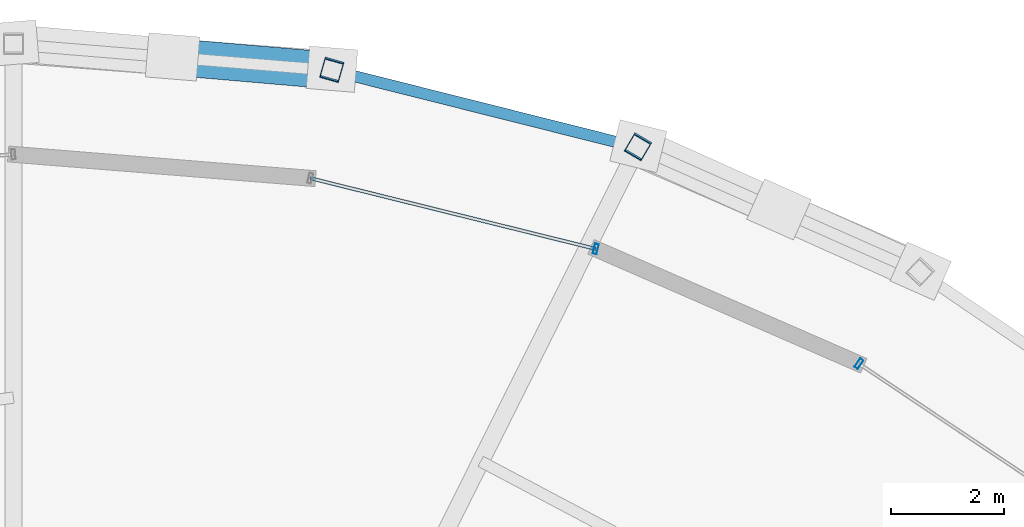
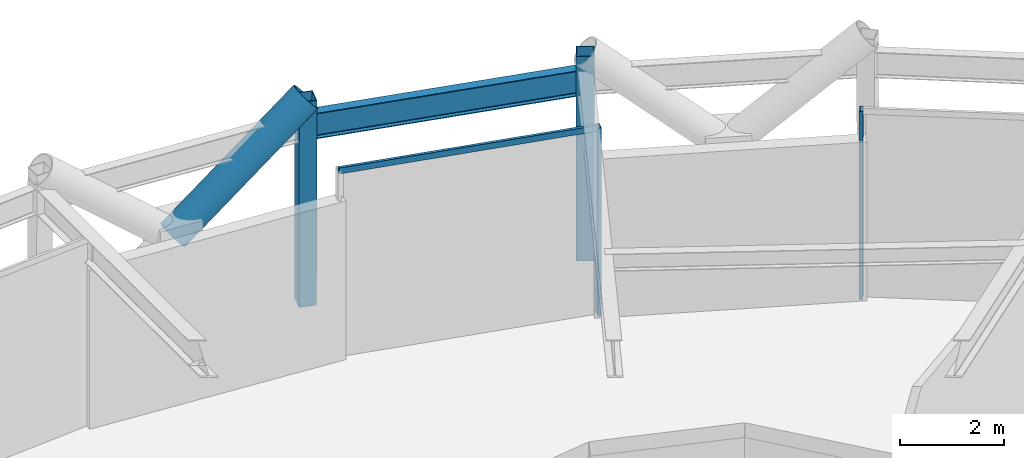
# One storey, part 28 of 39: 6 members, 1 beam, 2 elements without a shape of their own.
"""IFC4 building model written with IfcOpenShell, lengths in metres."""

import ifcopenshell
import ifcopenshell.guid

model = None  # the IFC model being written
_history = None  # IfcOwnerHistory: only IFC2X3 demands one
_inside = {}  # id of a spatial element -> (the spatial element, [elements in it])
_under = {}  # id of a project, library or spatial element -> (it, [spatial elements below it])
_declared = {}  # id of a project -> (the project, [libraries it declares])
_typed = {}  # id of a type object -> (the type object, [elements of that type])
_made_of = {}  # id of a material, layer set ... -> (it, [elements and type objects made of it])


def new_model(schema):
    """Start an empty IFC model of exactly this schema.

    Asked for "IFC4X3", IfcOpenShell would pick the latest addendum, in which some entities
    have other attributes; the version numbers below select the first issue.
    IFC2X3 requires an IfcOwnerHistory on every rooted entity: one is made here for all.
    """
    global model, _history
    if schema == "IFC4X3":
        model = ifcopenshell.file(schema_version=(4, 3, 0, 0))
    else:
        model = ifcopenshell.file(schema=schema)
    _inside.clear()
    _under.clear()
    _declared.clear()
    _typed.clear()
    _made_of.clear()
    _history = None
    if model.schema == "IFC2X3":
        org = make("IfcOrganization", Name="unknown")
        user = make(
            "IfcPersonAndOrganization",
            ThePerson=make("IfcPerson", FamilyName="unknown"),
            TheOrganization=org,
        )
        app = make(
            "IfcApplication",
            ApplicationDeveloper=org,
            Version="unknown",
            ApplicationFullName="unknown",
            ApplicationIdentifier="unknown",
        )
        _history = make(
            "IfcOwnerHistory",
            OwningUser=user,
            OwningApplication=app,
            ChangeAction="ADDED",
            CreationDate=0,
        )
    return model


def make(cls, **values):
    """One entity of the class cls with the attributes given. An attribute that is None is left unset."""
    return model.create_entity(
        cls, **{name: value for name, value in values.items() if value is not None}
    )


def rooted(cls, **values):
    """An entity with a GlobalId (a new one), such as an element, a storey or a relation."""
    return make(cls, GlobalId=ifcopenshell.guid.new(), OwnerHistory=_history, **values)


def si_unit(unit_type, name, prefix=None):
    """IfcSIUnit, for example si_unit("LENGTHUNIT", "METRE", prefix="MILLI")."""
    return make("IfcSIUnit", UnitType=unit_type, Prefix=prefix, Name=name)


def assignment(units):
    """IfcUnitAssignment: the units of a project."""
    return None if units is None else make("IfcUnitAssignment", Units=units)


def point(xyz):
    """IfcCartesianPoint."""
    return None if xyz is None else make("IfcCartesianPoint", Coordinates=xyz)


def direction(xyz):
    """IfcDirection."""
    return None if xyz is None else make("IfcDirection", DirectionRatios=xyz)


def frame(location, z_axis=None, x_axis=None):
    """IfcAxis2Placement3D, a coordinate frame: its origin and axes. An axis left out is left unset."""
    return make(
        "IfcAxis2Placement3D",
        Location=point(location),
        Axis=direction(z_axis),
        RefDirection=direction(x_axis),
    )


def frame_2d(location, x_axis=None):
    """IfcAxis2Placement2D, a coordinate frame in the plane: its origin and x axis."""
    return make(
        "IfcAxis2Placement2D", Location=point(location), RefDirection=direction(x_axis)
    )


def origin():
    """The frame at (0, 0, 0) with its axes left unset."""
    return frame((0.0, 0.0, 0.0))


def origin_2d():
    """The frame at (0, 0) in the plane with its x axis left unset."""
    return frame_2d((0.0, 0.0))


def place(relative_to, where):
    """IfcLocalPlacement: puts the frame where relative to a parent placement (None: the world)."""
    return make(
        "IfcLocalPlacement", PlacementRelTo=relative_to, RelativePlacement=where
    )


def context(
    kind, dimensions, precision=None, world=None, true_north=None, identifier=None
):
    """IfcGeometricRepresentationContext, for example the 3D "Model" context."""
    return make(
        "IfcGeometricRepresentationContext",
        ContextIdentifier=identifier,
        ContextType=kind,
        CoordinateSpaceDimension=dimensions,
        Precision=precision,
        WorldCoordinateSystem=world,
        TrueNorth=true_north,
    )


def subcontext(parent, identifier, kind, view, scale=None):
    """IfcGeometricRepresentationSubContext, for example "Body" below "Model"."""
    return make(
        "IfcGeometricRepresentationSubContext",
        ContextIdentifier=identifier,
        ContextType=kind,
        ParentContext=parent,
        TargetScale=scale,
        TargetView=view,
    )


def project(units=None, contexts=None):
    """IfcProject with its units and contexts."""
    return rooted(
        "IfcProject",
        Name="project",
        RepresentationContexts=contexts,
        UnitsInContext=assignment(units),
    )


def spatial(cls, under=None, at=None, **own):
    """A site, building, storey or space (cls), placed at a placement, below another one or the project."""
    s = rooted(cls, ObjectPlacement=at, **own)
    if under is not None:
        _under.setdefault(under.id(), (under, []))[1].append(s)
    return s


def profile(cls, at=None, kind="AREA", **sizes):
    """A parametric profile (cls). Its sizes go by their IFC names, for example OverallWidth=200.0."""
    return make(cls, ProfileType=kind, Position=at, **sizes)


def hollow_rectangle(**sizes):
    """IfcRectangleHollowProfileDef."""
    return profile("IfcRectangleHollowProfileDef", **sizes)


def hollow_circle(**sizes):
    """IfcCircleHollowProfileDef."""
    return profile("IfcCircleHollowProfileDef", **sizes)


def i_section(**sizes):
    """IfcIShapeProfileDef."""
    return profile("IfcIShapeProfileDef", **sizes)


def extrude(swept, where, along, depth):
    """IfcExtrudedAreaSolid: the profile swept, set in the frame where, extruded along a direction by depth."""
    return make(
        "IfcExtrudedAreaSolid",
        SweptArea=swept,
        Position=where,
        ExtrudedDirection=direction(along),
        Depth=depth,
    )


def shape(context_of_items, identifier, shape_type, items):
    """IfcShapeRepresentation: the items that make up one representation, for example the "Body"."""
    return make(
        "IfcShapeRepresentation",
        ContextOfItems=context_of_items,
        RepresentationIdentifier=identifier,
        RepresentationType=shape_type,
        Items=items,
    )


def material(Name=None, Category=None):
    """IfcMaterial."""
    return make("IfcMaterial", Name=Name, Category=Category)


def layer(
    of_material, thickness, ventilated=None, Name=None, Category=None, Priority=None
):
    """IfcMaterialLayer: one layer of a wall or slab, of a material (None: an air gap)."""
    return make(
        "IfcMaterialLayer",
        Material=of_material,
        LayerThickness=thickness,
        IsVentilated=ventilated,
        Name=Name,
        Category=Category,
        Priority=Priority,
    )


def layer_set(layers, Name=None):
    """IfcMaterialLayerSet."""
    return make("IfcMaterialLayerSet", MaterialLayers=layers, LayerSetName=Name)


def material_profile(
    of_material, cross_section, Name=None, Category=None, Priority=None
):
    """IfcMaterialProfile: a cross section and its material."""
    return make(
        "IfcMaterialProfile",
        Name=Name,
        Material=of_material,
        Profile=cross_section,
        Priority=Priority,
        Category=Category,
    )


def profile_set(profiles, Name=None, composite=None):
    """IfcMaterialProfileSet."""
    return make(
        "IfcMaterialProfileSet",
        Name=Name,
        MaterialProfiles=profiles,
        CompositeProfile=composite,
    )


def made_of(thing, what):
    """Note that an element or type object is made of a material, layer set ...; save() writes the relation."""
    if what is not None:
        _made_of.setdefault(what.id(), (what, []))[1].append(thing)
    return thing


def type_object(cls, material=None, **own):
    """A type object (cls), such as IfcWallType, which elements share."""
    return made_of(rooted(cls, **own), material)


def element(
    cls,
    number,
    at=None,
    inside=None,
    cuts=None,
    type_object=None,
    material=None,
    context=None,
    identifier="Body",
    shape_type=None,
    held_by="IfcProductDefinitionShape",
    body=None,
    shapes=None,
    **own,
):
    """One element of the class cls, such as IfcWall. Its Tag is "e" and its number.

    at: its placement. inside: the storey or other place that contains it. cuts: it is an
    opening in that element (IfcRelVoidsElement). A single representation is given by context,
    identifier, shape_type and body (its items); several are given by shapes. held_by: the class
    of the entity that holds the representations. save() writes the other relations.
    """
    e = rooted(cls, Tag="e%d" % number, ObjectPlacement=at, **own)
    if body is not None:
        shapes = [shape(context, identifier, shape_type, body)]
    if shapes is not None:
        e.Representation = make(held_by, Representations=shapes)
    if inside is not None:
        _inside.setdefault(inside.id(), (inside, []))[1].append(e)
    if cuts is not None:
        rooted(
            "IfcRelVoidsElement", RelatingBuildingElement=cuts, RelatedOpeningElement=e
        )
    if type_object is not None:
        _typed.setdefault(type_object.id(), (type_object, []))[1].append(e)
    return made_of(e, material)


def aggregate(whole, parts):
    """IfcRelAggregates: a whole, such as a stair, and the parts it consists of."""
    return rooted("IfcRelAggregates", RelatingObject=whole, RelatedObjects=parts)


def save(model, path):
    """Write the relations noted so far, then the file.

    IfcRelAggregates (storeys below a building ...), IfcRelContainedInSpatialStructure (elements
    in a storey), IfcRelDefinesByType, IfcRelAssociatesMaterial and IfcRelDeclares: one each for
    every whole, place, type object, material and project.
    """
    for whole, parts in _under.values():
        aggregate(whole, parts)
    for where, things in _inside.values():
        rooted(
            "IfcRelContainedInSpatialStructure",
            RelatedElements=things,
            RelatingStructure=where,
        )
    for kind, things in _typed.values():
        rooted("IfcRelDefinesByType", RelatedObjects=things, RelatingType=kind)
    for what, things in _made_of.values():
        rooted("IfcRelAssociatesMaterial", RelatedObjects=things, RelatingMaterial=what)
    for by, libraries in _declared.values():
        rooted("IfcRelDeclares", RelatingContext=by, RelatedDefinitions=libraries)
    model.write(path)


model = new_model("IFC4")

# Units and contexts
model_context = context("Model", 3, precision=1e-05, world=origin(), true_north=direction((0.0, 1.0)))
body_context = subcontext(model_context, "Body", "Model", "MODEL_VIEW")
ifc_project = project(units=[si_unit("LENGTHUNIT", "METRE"), si_unit("AREAUNIT", "SQUARE_METRE"), si_unit("VOLUMEUNIT", "CUBIC_METRE"), si_unit("PLANEANGLEUNIT", "RADIAN"), si_unit("MASSUNIT", "GRAM", prefix="KILO")], contexts=[model_context])

# Site, building, storey
site_placement = place(None, origin())
site = spatial("IfcSite", under=ifc_project, at=site_placement, CompositionType="ELEMENT")
building_placement = place(site_placement, origin())
building = spatial("IfcBuilding", under=site, at=building_placement, Name="Veldorina Hangang Commons", CompositionType="ELEMENT")
storey_placement = place(building_placement, frame((0.0, 0.0, 106.0)))
storey = spatial("IfcBuildingStorey", under=building, at=storey_placement, Name="L27", CompositionType="ELEMENT", Elevation=106.0)

# Beam
ifc_material_1 = material(Name="Steel SM420-TMC", Category="steel")
ifc_material_profile_1 = material_profile(ifc_material_1, i_section(OverallWidth=0.199951171875, OverallDepth=0.60009765625, WebThickness=0.010986328125, FlangeThickness=0.01708984375, FilletRadius=0.01806640625, at=origin_2d()), Name="H-600x200x11x17")
ifc_profile_set_1 = profile_set([ifc_material_profile_1], Name="Steel SM420-TMC")
beam_type = type_object("IfcBeamType", Name="BM-RB600", PredefinedType="BEAM", material=ifc_profile_set_1)
beam_placement = place(storey_placement, frame((43.002197265625, 46.01171875, 4.139892578125), z_axis=(-0.969829219212, 0.243785326798, 0.0), x_axis=(-0.243785326798, -0.969829219212, 0.0)))
element("IfcBeam", 1, at=beam_placement, inside=storey, type_object=beam_type, Name="L27 perimeter hoop ring beam 06", PredefinedType="BEAM", context=body_context, shape_type="SweptSolid", body=[
    extrude(i_section(OverallWidth=0.199951171875, OverallDepth=0.60009765625, WebThickness=0.010986328125, FlangeThickness=0.01708984375, FilletRadius=0.01806640625, at=origin_2d()), origin(), (0.0, 0.0, 1.0), 5.56103515625),
])

# Curtain wall, member
ifc_material_2 = material(Name="Glass Acoustic Laminated", Category="glass")
ifc_layer = layer(ifc_material_2, 0.179931640625)
ifc_layer_set = layer_set([ifc_layer], Name="Glass Acoustic Laminated")
curtain_wall_type = type_object("IfcCurtainWallType", Name="CW-SYS-SKY", PredefinedType="NOTDEFINED", material=ifc_layer_set)
curtain_wall_1_placement = place(storey_placement, origin())
curtain_wall_1 = element("IfcCurtainWall", 2, at=curtain_wall_1_placement, inside=storey, type_object=curtain_wall_type, Name="L27 unitised curtain wall CW-L27-R3", PredefinedType="NOTDEFINED")
ifc_material_3 = material(Name="Aluminium Anodized AA6063-T6", Category="aluminium")
ifc_material_profile_2 = material_profile(ifc_material_3, hollow_rectangle(XDim=0.070068359375, YDim=0.179931640625, WallThickness=0.00390625, at=origin_2d()), Name="ALU-RHS-180x70x4")
ifc_profile_set_2 = profile_set([ifc_material_profile_2], Name="Aluminium Anodized AA6063-T6")
member_type_1 = type_object("IfcMemberType", Name="CW-MUL-180", PredefinedType="MULLION", material=ifc_profile_set_2)
member_1_placement = place(storey_placement, frame((46.902099609375, 42.19921875, 0.0), z_axis=(0.0, 0.0, 1.0), x_axis=(0.830887364717, -0.556440641177, 0.0)))
member_1 = element("IfcMember", 3, at=member_1_placement, type_object=member_type_1, Name="CW-L27-R3 vertical mullion 2", PredefinedType="MULLION", context=body_context, shape_type="SweptSolid", body=[
    extrude(hollow_rectangle(XDim=0.070068359375, YDim=0.179931640625, WallThickness=0.00390625, at=origin_2d()), origin(), (0.0, 0.0, 1.0), 4.39990234375),
])
aggregate(curtain_wall_1, [member_1])

# Curtain wall, members
curtain_wall_2_placement = place(storey_placement, origin())
curtain_wall_2 = element("IfcCurtainWall", 4, at=curtain_wall_2_placement, inside=storey, type_object=curtain_wall_type, Name="L27 unitised curtain wall CW-L27-R4", PredefinedType="NOTDEFINED")
member_2_placement = place(storey_placement, frame((42.2646484375, 44.221923828125, 0.0), z_axis=(0.0, 0.0, 1.0), x_axis=(-0.970703901937, 0.240278868744, 0.0)))
member_2 = element("IfcMember", 5, at=member_2_placement, type_object=member_type_1, Name="CW-L27-R4 vertical mullion 1", PredefinedType="MULLION", context=body_context, shape_type="SweptSolid", body=[
    extrude(hollow_rectangle(XDim=0.070068359375, YDim=0.179931640625, WallThickness=0.00390625, at=origin_2d()), origin(), (0.0, 0.0, 1.0), 4.39990234375),
])
ifc_material_profile_3 = material_profile(ifc_material_3, hollow_rectangle(XDim=0.06005859375, YDim=0.139892578125, WallThickness=0.00341796875, at=origin_2d()), Name="ALU-RHS-140x60x3.5")
ifc_profile_set_3 = profile_set([ifc_material_profile_3], Name="Aluminium Anodized AA6063-T6")
member_type_2 = type_object("IfcMemberType", Name="CW-TRN-140", PredefinedType="USERDEFINED", material=ifc_profile_set_3)
member_3_placement = place(storey_placement, frame((42.2646484375, 44.221923828125, 4.360107421875), z_axis=(-0.970699558144, 0.240296416577, 0.0), x_axis=(-0.240296416577, -0.970699558144, 0.0)))
member_3 = element("IfcMember", 6, at=member_3_placement, type_object=member_type_2, Name="CW-L27-R4 facet 1 transom 1", ObjectType="TRANSOM", PredefinedType="USERDEFINED", context=body_context, shape_type="SweptSolid", body=[
    extrude(hollow_rectangle(XDim=0.06005859375, YDim=0.139892578125, WallThickness=0.00341796875, at=origin_2d()), origin(), (0.0, 0.0, 1.0), 5.18359375),
])
aggregate(curtain_wall_2, [member_2, member_3])

# Members
ifc_material_4 = material(Name="Steel SM460-TMC", Category="steel")
ifc_material_profile_4 = material_profile(ifc_material_4, hollow_circle(Radius=0.324951171875, WallThickness=0.031982421875, at=origin_2d()), Name="CHS-650x32")
ifc_profile_set_4 = profile_set([ifc_material_profile_4], Name="Steel SM460-TMC")
member_type_3 = type_object("IfcMemberType", Name="DG-CHS650", PredefinedType="BRACE", material=ifc_profile_set_4)
member_4_placement = place(storey_placement, frame((34.805908203125, 47.60595703125, 2.401611328125), z_axis=(0.758066415276, -0.065456462276, 0.648884243589), x_axis=(0.086026506315, 0.99629284862, 0.0)))
element("IfcMember", 7, at=member_4_placement, inside=storey, type_object=member_type_3, Name="L27 split perimeter diagrid upper brace 08", PredefinedType="BRACE", context=body_context, shape_type="SweptSolid", body=[
    extrude(hollow_circle(Radius=0.324951171875, WallThickness=0.031982421875, at=origin_2d()), origin(), (0.0, 0.0, 1.0), 3.6962890625),
])
ifc_material_5 = material(Name="Steel SM355-TMC", Category="steel")
ifc_material_profile_5 = material_profile(ifc_material_5, hollow_rectangle(XDim=0.35009765625, YDim=0.35009765625, WallThickness=0.01611328125, at=origin_2d()), Name="SHS-350x350x16")
ifc_profile_set_5 = profile_set([ifc_material_profile_5], Name="Steel SM355-TMC")
member_type_4 = type_object("IfcMemberType", Name="STR-SHS350", PredefinedType="STRUT", material=ifc_profile_set_5)
for number, where, z_axis, x_axis, name in (
    (8, (43.0146484375, 46.03271484375, 0.0), (-0.00300081233, -0.005086122593, 0.999982563089), (0.86126925759, -0.508148861978, 0.0), "L27 perimeter ring node post 06"),
    (9, (37.615234375, 47.389892578125, 0.0), (-0.001525839432, -0.005391299328, 0.99998430273), (0.962206045824, -0.272322465799, 0.0), "L27 perimeter ring node post 07"),
):
    element("IfcMember", number, at=place(storey_placement, frame(where, z_axis=z_axis, x_axis=x_axis)), inside=storey, type_object=member_type_4, Name=name, PredefinedType="STRUT", context=body_context, shape_type="SweptSolid", body=[
        extrude(hollow_rectangle(XDim=0.35009765625, YDim=0.35009765625, WallThickness=0.01611328125, at=origin_2d()), origin(), (0.0, 0.0, 1.0), 4.800048828125),
    ])

save(model, "model.ifc")
